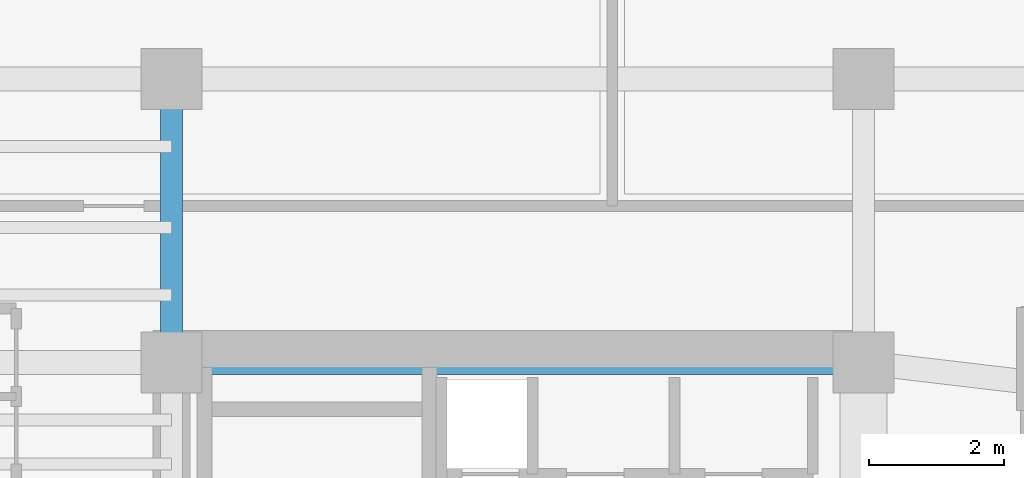
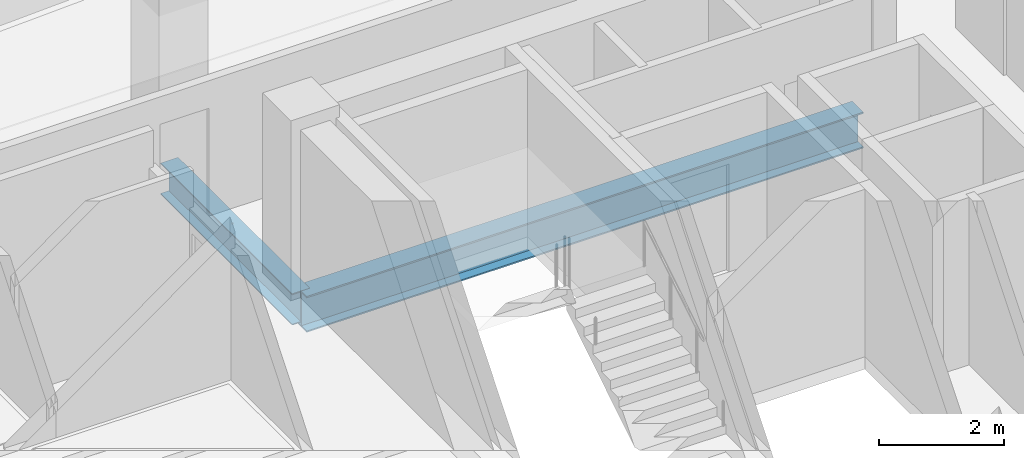
# One storey, part 10 of 22: 2 beams.
"""IFC4 building model written with IfcOpenShell, lengths in metres."""

from ifc_helpers import new_model, si_unit, direction, frame, origin, origin_2d, place, context, subcontext, project, spatial, i_section, extrude, source, transform, mapped, material, material_profile, profile_set, type_object, element, save


model = new_model("IFC4")

# Units and contexts
model_context = context("Model", 3, precision=1e-05, world=origin(), true_north=direction((0.0, 1.0)))
body_context = subcontext(model_context, "Body", "Model", "MODEL_VIEW")
ifc_project = project(units=[si_unit("LENGTHUNIT", "METRE"), si_unit("AREAUNIT", "SQUARE_METRE"), si_unit("VOLUMEUNIT", "CUBIC_METRE"), si_unit("PLANEANGLEUNIT", "RADIAN"), si_unit("MASSUNIT", "GRAM", prefix="KILO")], contexts=[model_context])

# Site, building, storey
site_placement = place(None, origin())
site = spatial("IfcSite", under=ifc_project, at=site_placement, CompositionType="ELEMENT")
building_placement = place(site_placement, origin())
building = spatial("IfcBuilding", under=site, at=building_placement, Name="Valdorenza Pilgrim Sanctuary Tower", CompositionType="ELEMENT")
storey_placement = place(building_placement, frame((0.0, 0.0, 237.0)))
storey = spatial("IfcBuildingStorey", under=building, at=storey_placement, Name="L61", CompositionType="ELEMENT", Elevation=237.0)

# Beams
ifc_material = material(Name="Steel ASTM A992 Grade 50", Category="steel")
ifc_material_profile_1 = material_profile(ifc_material, i_section(OverallWidth=0.323974609375, OverallDepth=0.611083984375, WebThickness=0.0126953125, FlangeThickness=0.01904296875, at=origin_2d()), Name="W24X104")
ifc_profile_set_1 = profile_set([ifc_material_profile_1], Name="Steel ASTM A992 Grade 50")
beam_type_1 = type_object("IfcBeamType", Name="STR-BM-GRD-W24B", PredefinedType="BEAM", material=ifc_profile_set_1)
shared_shape_1 = source(origin(), body_context, "Body", "SweptSolid", [
    extrude(i_section(OverallWidth=0.323974609375, OverallDepth=0.611083984375, WebThickness=0.0126953125, FlangeThickness=0.01904296875, at=origin_2d()), origin(), (0.0, 0.0, 1.0), 4.199951171875),
])
beam_1_placement = place(storey_placement, frame((-22.64990234375, 10.60009765625, -0.54541015625), z_axis=(0.0, 1.0, 0.0), x_axis=(-1.0, 0.0, 0.0)))
element("IfcBeam", 1, at=beam_1_placement, inside=storey, type_object=beam_type_1, Name="L61 Core Tie Girder CA-W-N1N2", PredefinedType="BEAM", context=body_context, shape_type="MappedRepresentation", body=[
    mapped(shared_shape_1, transform((0.0, 0.0, 0.0), x_axis=(1.0, 0.0, 0.0), y_axis=(0.0, 1.0, 0.0), z_axis=(0.0, 0.0, 1.0), scale=1.0)),
])
ifc_material_profile_2 = material_profile(ifc_material, i_section(OverallWidth=0.35595703125, OverallDepth=0.700927734375, WebThickness=0.016845703125, FlangeThickness=0.02734375, at=origin_2d()), Name="W27X161")
ifc_profile_set_2 = profile_set([ifc_material_profile_2], Name="Steel ASTM A992 Grade 50")
beam_type_2 = type_object("IfcBeamType", Name="STR-BM-GRD-W27", PredefinedType="BEAM", material=ifc_profile_set_2)
shared_shape_2 = source(origin(), body_context, "Body", "SweptSolid", [
    extrude(i_section(OverallWidth=0.35595703125, OverallDepth=0.700927734375, WebThickness=0.016845703125, FlangeThickness=0.02734375, at=origin_2d()), origin(), (0.0, 0.0, 1.0), 10.25),
])
beam_2_placement = place(storey_placement, frame((-22.64990234375, 10.60009765625, -0.590576171875), z_axis=(1.0, 0.0, 0.0), x_axis=(0.0, 1.0, 0.0)))
element("IfcBeam", 2, at=beam_2_placement, inside=storey, type_object=beam_type_2, Name="L61 Floor Girder CA-XC-N1", PredefinedType="BEAM", context=body_context, shape_type="MappedRepresentation", body=[
    mapped(shared_shape_2, transform((0.0, 0.0, 0.0), x_axis=(1.0, 0.0, 0.0), y_axis=(0.0, 1.0, 0.0), z_axis=(0.0, 0.0, 1.0), scale=1.0)),
])

save(model, "model.ifc")
